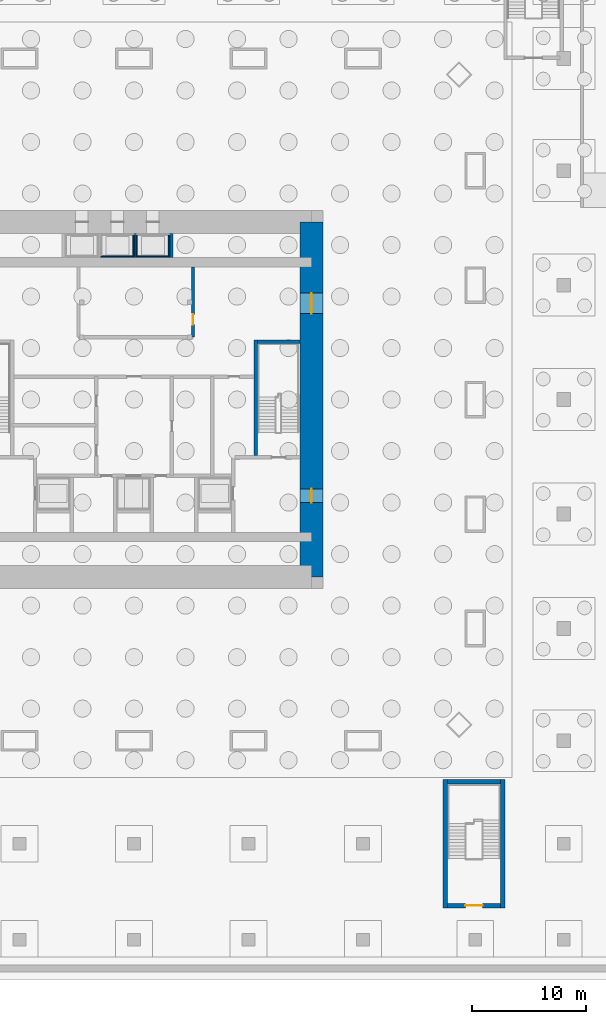
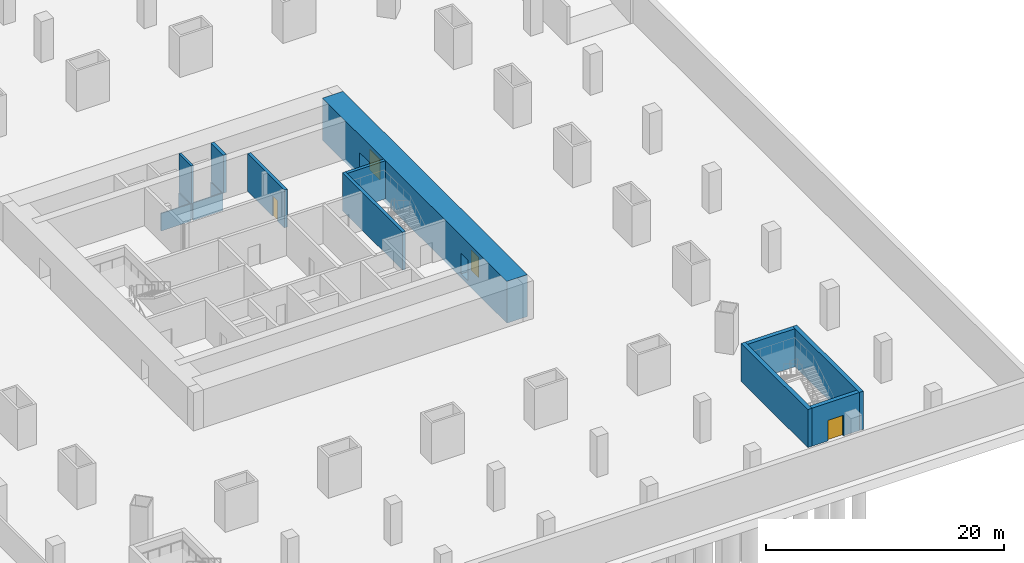
# One storey, part 5 of 11: 15 walls, 4 doors, 4 openings.
"""IFC4 building model written with IfcOpenShell, lengths in metres."""

import ifcopenshell
import ifcopenshell.guid

model = None  # the IFC model being written
_history = None  # IfcOwnerHistory: only IFC2X3 demands one
_inside = {}  # id of a spatial element -> (the spatial element, [elements in it])
_under = {}  # id of a project, library or spatial element -> (it, [spatial elements below it])
_declared = {}  # id of a project -> (the project, [libraries it declares])
_typed = {}  # id of a type object -> (the type object, [elements of that type])
_made_of = {}  # id of a material, layer set ... -> (it, [elements and type objects made of it])


def new_model(schema):
    """Start an empty IFC model of exactly this schema.

    Asked for "IFC4X3", IfcOpenShell would pick the latest addendum, in which some entities
    have other attributes; the version numbers below select the first issue.
    IFC2X3 requires an IfcOwnerHistory on every rooted entity: one is made here for all.
    """
    global model, _history
    if schema == "IFC4X3":
        model = ifcopenshell.file(schema_version=(4, 3, 0, 0))
    else:
        model = ifcopenshell.file(schema=schema)
    _inside.clear()
    _under.clear()
    _declared.clear()
    _typed.clear()
    _made_of.clear()
    _history = None
    if model.schema == "IFC2X3":
        org = make("IfcOrganization", Name="unknown")
        user = make(
            "IfcPersonAndOrganization",
            ThePerson=make("IfcPerson", FamilyName="unknown"),
            TheOrganization=org,
        )
        app = make(
            "IfcApplication",
            ApplicationDeveloper=org,
            Version="unknown",
            ApplicationFullName="unknown",
            ApplicationIdentifier="unknown",
        )
        _history = make(
            "IfcOwnerHistory",
            OwningUser=user,
            OwningApplication=app,
            ChangeAction="ADDED",
            CreationDate=0,
        )
    return model


def make(cls, **values):
    """One entity of the class cls with the attributes given. An attribute that is None is left unset."""
    return model.create_entity(
        cls, **{name: value for name, value in values.items() if value is not None}
    )


def rooted(cls, **values):
    """An entity with a GlobalId (a new one), such as an element, a storey or a relation."""
    return make(cls, GlobalId=ifcopenshell.guid.new(), OwnerHistory=_history, **values)


def si_unit(unit_type, name, prefix=None):
    """IfcSIUnit, for example si_unit("LENGTHUNIT", "METRE", prefix="MILLI")."""
    return make("IfcSIUnit", UnitType=unit_type, Prefix=prefix, Name=name)


def assignment(units):
    """IfcUnitAssignment: the units of a project."""
    return None if units is None else make("IfcUnitAssignment", Units=units)


def point(xyz):
    """IfcCartesianPoint."""
    return None if xyz is None else make("IfcCartesianPoint", Coordinates=xyz)


def direction(xyz):
    """IfcDirection."""
    return None if xyz is None else make("IfcDirection", DirectionRatios=xyz)


def frame(location, z_axis=None, x_axis=None):
    """IfcAxis2Placement3D, a coordinate frame: its origin and axes. An axis left out is left unset."""
    return make(
        "IfcAxis2Placement3D",
        Location=point(location),
        Axis=direction(z_axis),
        RefDirection=direction(x_axis),
    )


def frame_2d(location, x_axis=None):
    """IfcAxis2Placement2D, a coordinate frame in the plane: its origin and x axis."""
    return make(
        "IfcAxis2Placement2D", Location=point(location), RefDirection=direction(x_axis)
    )


def origin():
    """The frame at (0, 0, 0) with its axes left unset."""
    return frame((0.0, 0.0, 0.0))


def place(relative_to, where):
    """IfcLocalPlacement: puts the frame where relative to a parent placement (None: the world)."""
    return make(
        "IfcLocalPlacement", PlacementRelTo=relative_to, RelativePlacement=where
    )


def context(
    kind, dimensions, precision=None, world=None, true_north=None, identifier=None
):
    """IfcGeometricRepresentationContext, for example the 3D "Model" context."""
    return make(
        "IfcGeometricRepresentationContext",
        ContextIdentifier=identifier,
        ContextType=kind,
        CoordinateSpaceDimension=dimensions,
        Precision=precision,
        WorldCoordinateSystem=world,
        TrueNorth=true_north,
    )


def subcontext(parent, identifier, kind, view, scale=None):
    """IfcGeometricRepresentationSubContext, for example "Body" below "Model"."""
    return make(
        "IfcGeometricRepresentationSubContext",
        ContextIdentifier=identifier,
        ContextType=kind,
        ParentContext=parent,
        TargetScale=scale,
        TargetView=view,
    )


def project(units=None, contexts=None):
    """IfcProject with its units and contexts."""
    return rooted(
        "IfcProject",
        Name="project",
        RepresentationContexts=contexts,
        UnitsInContext=assignment(units),
    )


def spatial(cls, under=None, at=None, **own):
    """A site, building, storey or space (cls), placed at a placement, below another one or the project."""
    s = rooted(cls, ObjectPlacement=at, **own)
    if under is not None:
        _under.setdefault(under.id(), (under, []))[1].append(s)
    return s


def profile(cls, at=None, kind="AREA", **sizes):
    """A parametric profile (cls). Its sizes go by their IFC names, for example OverallWidth=200.0."""
    return make(cls, ProfileType=kind, Position=at, **sizes)


def rectangle(**sizes):
    """IfcRectangleProfileDef."""
    return profile("IfcRectangleProfileDef", **sizes)


def extrude(swept, where, along, depth):
    """IfcExtrudedAreaSolid: the profile swept, set in the frame where, extruded along a direction by depth."""
    return make(
        "IfcExtrudedAreaSolid",
        SweptArea=swept,
        Position=where,
        ExtrudedDirection=direction(along),
        Depth=depth,
    )


def shape(context_of_items, identifier, shape_type, items):
    """IfcShapeRepresentation: the items that make up one representation, for example the "Body"."""
    return make(
        "IfcShapeRepresentation",
        ContextOfItems=context_of_items,
        RepresentationIdentifier=identifier,
        RepresentationType=shape_type,
        Items=items,
    )


def material(Name=None, Category=None):
    """IfcMaterial."""
    return make("IfcMaterial", Name=Name, Category=Category)


def layer(
    of_material, thickness, ventilated=None, Name=None, Category=None, Priority=None
):
    """IfcMaterialLayer: one layer of a wall or slab, of a material (None: an air gap)."""
    return make(
        "IfcMaterialLayer",
        Material=of_material,
        LayerThickness=thickness,
        IsVentilated=ventilated,
        Name=Name,
        Category=Category,
        Priority=Priority,
    )


def layer_set(layers, Name=None):
    """IfcMaterialLayerSet."""
    return make("IfcMaterialLayerSet", MaterialLayers=layers, LayerSetName=Name)


def made_of(thing, what):
    """Note that an element or type object is made of a material, layer set ...; save() writes the relation."""
    if what is not None:
        _made_of.setdefault(what.id(), (what, []))[1].append(thing)
    return thing


def type_object(cls, material=None, **own):
    """A type object (cls), such as IfcWallType, which elements share."""
    return made_of(rooted(cls, **own), material)


def element(
    cls,
    number,
    at=None,
    inside=None,
    cuts=None,
    type_object=None,
    material=None,
    context=None,
    identifier="Body",
    shape_type=None,
    held_by="IfcProductDefinitionShape",
    body=None,
    shapes=None,
    **own,
):
    """One element of the class cls, such as IfcWall. Its Tag is "e" and its number.

    at: its placement. inside: the storey or other place that contains it. cuts: it is an
    opening in that element (IfcRelVoidsElement). A single representation is given by context,
    identifier, shape_type and body (its items); several are given by shapes. held_by: the class
    of the entity that holds the representations. save() writes the other relations.
    """
    e = rooted(cls, Tag="e%d" % number, ObjectPlacement=at, **own)
    if body is not None:
        shapes = [shape(context, identifier, shape_type, body)]
    if shapes is not None:
        e.Representation = make(held_by, Representations=shapes)
    if inside is not None:
        _inside.setdefault(inside.id(), (inside, []))[1].append(e)
    if cuts is not None:
        rooted(
            "IfcRelVoidsElement", RelatingBuildingElement=cuts, RelatedOpeningElement=e
        )
    if type_object is not None:
        _typed.setdefault(type_object.id(), (type_object, []))[1].append(e)
    return made_of(e, material)


def fill(opening, filler):
    """IfcRelFillsElement: the door or window that sits in an opening."""
    return rooted(
        "IfcRelFillsElement",
        RelatingOpeningElement=opening,
        RelatedBuildingElement=filler,
    )


def aggregate(whole, parts):
    """IfcRelAggregates: a whole, such as a stair, and the parts it consists of."""
    return rooted("IfcRelAggregates", RelatingObject=whole, RelatedObjects=parts)


def save(model, path):
    """Write the relations noted so far, then the file.

    IfcRelAggregates (storeys below a building ...), IfcRelContainedInSpatialStructure (elements
    in a storey), IfcRelDefinesByType, IfcRelAssociatesMaterial and IfcRelDeclares: one each for
    every whole, place, type object, material and project.
    """
    for whole, parts in _under.values():
        aggregate(whole, parts)
    for where, things in _inside.values():
        rooted(
            "IfcRelContainedInSpatialStructure",
            RelatedElements=things,
            RelatingStructure=where,
        )
    for kind, things in _typed.values():
        rooted("IfcRelDefinesByType", RelatedObjects=things, RelatingType=kind)
    for what, things in _made_of.values():
        rooted("IfcRelAssociatesMaterial", RelatedObjects=things, RelatingMaterial=what)
    for by, libraries in _declared.values():
        rooted("IfcRelDeclares", RelatingContext=by, RelatedDefinitions=libraries)
    model.write(path)


model = new_model("IFC4")

# Units and contexts
model_context = context("Model", 3, precision=1e-05, world=origin(), true_north=direction((0.0, 1.0)))
body_context = subcontext(model_context, "Body", "Model", "MODEL_VIEW")
ifc_project = project(units=[si_unit("LENGTHUNIT", "METRE"), si_unit("AREAUNIT", "SQUARE_METRE"), si_unit("VOLUMEUNIT", "CUBIC_METRE"), si_unit("PLANEANGLEUNIT", "RADIAN"), si_unit("MASSUNIT", "GRAM", prefix="KILO")], contexts=[model_context])

# Site, building, storey
site_placement = place(None, origin())
site = spatial("IfcSite", under=ifc_project, at=site_placement, CompositionType="ELEMENT")
building_placement = place(site_placement, origin())
building = spatial("IfcBuilding", under=site, at=building_placement, Name="Khuree Lantern Residences", CompositionType="ELEMENT")
storey_placement = place(building_placement, frame((0.0, 0.0, -13.199951171875)))
storey = spatial("IfcBuildingStorey", under=building, at=storey_placement, Name="B3", CompositionType="ELEMENT", Elevation=-13.199951171875)

# Wall
ifc_material_1 = material(Name="Dense concrete blockwork", Category="masonry")
ifc_layer_1 = layer(ifc_material_1, 0.300048828125)
ifc_layer_set_1 = layer_set([ifc_layer_1], Name="CORE PARTITION WALL CPW300 EI 120")
wall_type_1 = type_object("IfcWallType", Name="CORE PARTITION WALL CPW300 EI 120", PredefinedType="PARTITIONING", material=ifc_layer_set_1)
wall_1_placement = place(storey_placement, frame((3.25, 12.39990234375, 0.0), z_axis=(0.0, 0.0, 1.0), x_axis=(0.0, 1.0, 0.0)))
element("IfcWall", 1, at=wall_1_placement, inside=storey, type_object=wall_type_1, Name="B3 CORE WALL PLE", PredefinedType="PARTITIONING", context=body_context, shape_type="SweptSolid", body=[
    extrude(rectangle(XDim=2.10009765625, YDim=0.300048828125, at=frame_2d((1.050048828125, 0.0))), origin(), (0.0, 0.0, 1.0), 3.89990234375),
])

# Wall, opening, door
wall_2_placement = place(storey_placement, frame((5.14990234375, 5.449951171875, 0.0), z_axis=(0.0, 0.0, 1.0), x_axis=(0.0, 1.0, 0.0)))
wall_2 = element("IfcWall", 2, at=wall_2_placement, inside=storey, type_object=wall_type_1, Name="B3 CORE WALL NE", PredefinedType="PARTITIONING", context=body_context, shape_type="SweptSolid", body=[
    extrude(rectangle(XDim=6.150146484375, YDim=0.300048828125, at=frame_2d((3.0751953125, 0.0))), origin(), (0.0, 0.0, 1.0), 3.89990234375),
])
opening_1_placement = place(wall_2_placement, frame((1.10009765625, 0.0, 0.0)))
opening_1 = element("IfcOpeningElement", 3, at=opening_1_placement, cuts=wall_2, Name="Opening B3-020", PredefinedType="OPENING", context=body_context, shape_type="SweptSolid", body=[
    extrude(rectangle(XDim=0.89990234375, YDim=2.10009765625, at=frame_2d((0.449951171875, 1.050048828125))), frame((0.0, 0.16015625, 0.0), z_axis=(0.0, -1.0, 0.0), x_axis=(1.0, 0.0, 0.0)), (0.0, 0.0, 1.0), 0.320068359375),
])
ifc_material_2 = material(Name="Timber door leaf in hardwood frame", Category="wood")
door_type_1 = type_object("IfcDoorType", Name="DOOR 900X2100", OperationType="SINGLE_SWING_LEFT", PredefinedType="DOOR", material=ifc_material_2)
door_1_placement = place(opening_1_placement, origin())
door_1 = element("IfcDoor", 4, at=door_1_placement, inside=storey, type_object=door_type_1, Name="Store door B3-020", OperationType="SINGLE_SWING_LEFT", OverallHeight=2.10009765625, OverallWidth=0.89990234375, PredefinedType="DOOR", context=body_context, shape_type="SweptSolid", body=[
    extrude(rectangle(XDim=0.89990234375, YDim=2.10009765625, at=frame_2d((0.449951171875, 1.050048828125))), frame((0.0, 0.02490234375, 0.0), z_axis=(0.0, -1.0, 0.0), x_axis=(1.0, 0.0, 0.0)), (0.0, 0.0, 1.0), 0.050048828125),
])
fill(opening_1, door_1)

# Wall, openings, doors
ifc_material_3 = material(Name="Concrete C70/85", Category="concrete")
ifc_layer_2 = layer(ifc_material_3, 2.0)
ifc_layer_set_2 = layer_set([ifc_layer_2], Name="CW2000-C70 CORE WALL C70 2000")
wall_type_2 = type_object("IfcWallType", Name="CW2000-C70 CORE WALL C70 2000", PredefinedType="SHEAR", material=ifc_layer_set_2)
wall_3_placement = place(storey_placement, frame((15.5, -15.5, -0.400146484375), z_axis=(0.0, 0.0, 1.0), x_axis=(0.0, 1.0, 0.0)))
wall_3 = element("IfcWall", 5, at=wall_3_placement, inside=storey, type_object=wall_type_2, Name="Core wall E", PredefinedType="SHEAR", context=body_context, shape_type="SweptSolid", body=[
    extrude(rectangle(XDim=31.0, YDim=2.0, at=frame_2d((15.5, 0.0))), origin(), (0.0, 0.0, 1.0), 4.300048828125),
])
opening_2_placement = place(wall_3_placement, frame((6.5, 0.0, 0.39990234375)))
opening_2 = element("IfcOpeningElement", 6, at=opening_2_placement, cuts=wall_3, Name="Opening B3-005", PredefinedType="OPENING", context=body_context, shape_type="SweptSolid", body=[
    extrude(rectangle(XDim=1.199951171875, YDim=2.10009765625, at=frame_2d((0.60009765625, 1.050048828125))), frame((0.0, 1.010009765625, 0.0), z_axis=(0.0, -1.0, 0.0), x_axis=(1.0, 0.0, 0.0)), (0.0, 0.0, 1.0), 2.02001953125),
])
opening_3_placement = place(wall_3_placement, frame((23.0, 0.0, 0.39990234375)))
opening_3 = element("IfcOpeningElement", 7, at=opening_3_placement, cuts=wall_3, Name="Opening B3-006", PredefinedType="OPENING", context=body_context, shape_type="SweptSolid", body=[
    extrude(rectangle(XDim=1.800048828125, YDim=2.10009765625, at=frame_2d((0.89990234375, 1.050048828125))), frame((0.0, 1.010009765625, 0.0), z_axis=(0.0, -1.0, 0.0), x_axis=(1.0, 0.0, 0.0)), (0.0, 0.0, 1.0), 2.02001953125),
])
ifc_material_4 = material(Name="Steel door leaf in steel frame", Category="steel")
door_type_2 = type_object("IfcDoorType", Name="LOBBY DOOR 1200X2100 EI 120", OperationType="SINGLE_SWING_LEFT", PredefinedType="DOOR", material=ifc_material_4)
door_2_placement = place(opening_2_placement, origin())
door_2 = element("IfcDoor", 8, at=door_2_placement, inside=storey, type_object=door_type_2, Name="Firefighting lobby door B3-005", OperationType="SINGLE_SWING_LEFT", OverallHeight=2.10009765625, OverallWidth=1.199951171875, PredefinedType="DOOR", context=body_context, shape_type="SweptSolid", body=[
    extrude(rectangle(XDim=1.199951171875, YDim=2.10009765625, at=frame_2d((0.60009765625, 1.050048828125))), frame((0.0, 0.02490234375, 0.0), z_axis=(0.0, -1.0, 0.0), x_axis=(1.0, 0.0, 0.0)), (0.0, 0.0, 1.0), 0.050048828125),
])
fill(opening_2, door_2)
door_type_3 = type_object("IfcDoorType", Name="LOBBY DOUBLE DOOR 1800X2100 EI 60", OperationType="DOUBLE_DOOR_SINGLE_SWING", PredefinedType="DOOR", material=ifc_material_4)
door_3_placement = place(opening_3_placement, origin())
door_3 = element("IfcDoor", 9, at=door_3_placement, inside=storey, type_object=door_type_3, Name="Lift lobby door B3-006", OperationType="DOUBLE_DOOR_SINGLE_SWING", OverallHeight=2.10009765625, OverallWidth=1.800048828125, PredefinedType="DOOR", context=body_context, shape_type="SweptSolid", body=[
    extrude(rectangle(XDim=1.800048828125, YDim=2.10009765625, at=frame_2d((0.89990234375, 1.050048828125))), frame((0.0, 0.02490234375, 0.0), z_axis=(0.0, -1.0, 0.0), x_axis=(1.0, 0.0, 0.0)), (0.0, 0.0, 1.0), 0.050048828125),
])
fill(opening_3, door_3)

# Walls
ifc_material_5 = material(Name="Concrete C40/50", Category="concrete")
ifc_layer_3 = layer(ifc_material_5, 0.10009765625)
ifc_layer_set_3 = layer_set([ifc_layer_3], Name="LIFT PIT WALL PW1 100")
wall_type_3 = type_object("IfcWallType", Name="LIFT PIT WALL PW1 100", PredefinedType="SOLIDWALL", material=ifc_layer_set_3)
wall_4_placement = place(storey_placement, frame((-2.89990234375, 12.5, -1.800048828125), z_axis=(0.0, 0.0, 1.0), x_axis=(1.0, 0.0, 0.0)))
element("IfcWall", 10, at=wall_4_placement, inside=storey, type_object=wall_type_3, Name="Lift PL2 pit wall", PredefinedType="SOLIDWALL", context=body_context, shape_type="SweptSolid", body=[
    extrude(rectangle(XDim=2.89990234375, YDim=0.10009765625, at=frame_2d((1.449951171875, 0.0))), origin(), (0.0, 0.0, 1.0), 1.800048828125),
])
wall_5_placement = place(storey_placement, frame((-0.050048828125, 12.550048828125, -1.800048828125), z_axis=(0.0, 0.0, 1.0), x_axis=(0.0, 1.0, 0.0)))
element("IfcWall", 11, at=wall_5_placement, inside=storey, type_object=wall_type_3, Name="Lift PL2 pit wall", PredefinedType="SOLIDWALL", context=body_context, shape_type="SweptSolid", body=[
    extrude(rectangle(XDim=1.800048828125, YDim=0.10009765625, at=frame_2d((0.89990234375, 0.0))), origin(), (0.0, 0.0, 1.0), 1.800048828125),
])
wall_6_placement = place(storey_placement, frame((0.199951171875, 12.5, -1.800048828125), z_axis=(0.0, 0.0, 1.0), x_axis=(1.0, 0.0, 0.0)))
element("IfcWall", 12, at=wall_6_placement, inside=storey, type_object=wall_type_3, Name="Lift PL3 pit wall", PredefinedType="SOLIDWALL", context=body_context, shape_type="SweptSolid", body=[
    extrude(rectangle(XDim=2.900146484375, YDim=0.10009765625, at=frame_2d((1.4501953125, 0.0))), origin(), (0.0, 0.0, 1.0), 1.800048828125),
])
for number, where, z_axis, x_axis, name in (
    (13, (0.25, 14.35009765625, -1.800048828125), (0.0, 0.0, 1.0), (0.0, -1.0, 0.0), "Lift PL3 pit wall"),
    (14, (3.050048828125, 12.550048828125, -1.800048828125), (0.0, 0.0, 1.0), (0.0, 1.0, 0.0), "Lift PL3 pit wall"),
):
    element("IfcWall", number, at=place(storey_placement, frame(where, z_axis=z_axis, x_axis=x_axis)), inside=storey, type_object=wall_type_3, Name=name, PredefinedType="SOLIDWALL", context=body_context, shape_type="SweptSolid", body=[
        extrude(rectangle(XDim=1.800048828125, YDim=0.10009765625, at=frame_2d((0.89990234375, 0.0))), origin(), (0.0, 0.0, 1.0), 1.800048828125),
    ])
ifc_layer_4 = layer(ifc_material_1, 0.199951171875)
ifc_layer_set_4 = layer_set([ifc_layer_4], Name="SHAFT WALL SHW200 EI 120")
wall_type_4 = type_object("IfcWallType", Name="SHAFT WALL SHW200 EI 120", PredefinedType="PARTITIONING", material=ifc_layer_set_4)
wall_7_placement = place(storey_placement, frame((0.10009765625, 12.39990234375, 0.0), z_axis=(0.0, 0.0, 1.0), x_axis=(0.0, 1.0, 0.0)))
element("IfcWall", 15, at=wall_7_placement, inside=storey, type_object=wall_type_4, Name="B3 CORE WALL PLD2", PredefinedType="PARTITIONING", context=body_context, shape_type="SweptSolid", body=[
    extrude(rectangle(XDim=2.10009765625, YDim=0.199951171875, at=frame_2d((1.050048828125, 0.0))), origin(), (0.0, 0.0, 1.0), 3.89990234375),
])
ifc_layer_5 = layer(ifc_material_5, 0.39990234375)
ifc_layer_set_5 = layer_set([ifc_layer_5], Name="STAIR WALL BSW400 REI 240")
wall_type_5 = type_object("IfcWallType", Name="STAIR WALL BSW400 REI 240", PredefinedType="SOLIDWALL", material=ifc_layer_set_5)
for number, where, z_axis, x_axis, name in (
    (16, (27.199951171875, -44.39990234375, 0.0), (0.0, 0.0, 1.0), (0.0, 1.0, 0.0), "B3 STAIR ST6 WALL W"),
    (17, (32.199951171875, -44.39990234375, 0.0), (0.0, 0.0, 1.0), (0.0, 1.0, 0.0), "B3 STAIR ST6 WALL E"),
):
    element("IfcWall", number, at=place(storey_placement, frame(where, z_axis=z_axis, x_axis=x_axis)), inside=storey, type_object=wall_type_5, Name=name, PredefinedType="SOLIDWALL", context=body_context, shape_type="SweptSolid", body=[
        extrude(rectangle(XDim=11.199951171875, YDim=0.39990234375, at=frame_2d((5.60009765625, 0.0))), origin(), (0.0, 0.0, 1.0), 3.89990234375),
    ])

# Wall, opening, door
wall_8_placement = place(storey_placement, frame((27.39990234375, -44.199951171875, 0.0), z_axis=(0.0, 0.0, 1.0), x_axis=(1.0, 0.0, 0.0)))
wall_8 = element("IfcWall", 18, at=wall_8_placement, inside=storey, type_object=wall_type_5, Name="B3 STAIR ST6 WALL S", PredefinedType="SOLIDWALL", context=body_context, shape_type="SweptSolid", body=[
    extrude(rectangle(XDim=4.60009765625, YDim=0.39990234375, at=frame_2d((2.300048828125, 0.0))), origin(), (0.0, 0.0, 1.0), 3.89990234375),
])
opening_4_placement = place(wall_8_placement, frame((1.550048828125, 0.0, 0.0)))
opening_4 = element("IfcOpeningElement", 19, at=opening_4_placement, cuts=wall_8, Name="Opening B3-022", PredefinedType="OPENING", context=body_context, shape_type="SweptSolid", body=[
    extrude(rectangle(XDim=1.5, YDim=2.10009765625, at=frame_2d((0.75, 1.050048828125))), frame((0.0, 0.2099609375, 0.0), z_axis=(0.0, -1.0, 0.0), x_axis=(1.0, 0.0, 0.0)), (0.0, 0.0, 1.0), 0.419921875),
])
door_type_4 = type_object("IfcDoorType", Name="STAIR DOOR 1500X2100 EI 120", OperationType="DOUBLE_DOOR_SINGLE_SWING", PredefinedType="DOOR", material=ifc_material_4)
door_4_placement = place(opening_4_placement, origin())
door_4 = element("IfcDoor", 20, at=door_4_placement, inside=storey, type_object=door_type_4, Name="Stair ST6 door B3-022", OperationType="DOUBLE_DOOR_SINGLE_SWING", OverallHeight=2.10009765625, OverallWidth=1.5, PredefinedType="DOOR", context=body_context, shape_type="SweptSolid", body=[
    extrude(rectangle(XDim=1.5, YDim=2.10009765625, at=frame_2d((0.75, 1.050048828125))), frame((0.0, 0.02490234375, 0.0), z_axis=(0.0, -1.0, 0.0), x_axis=(1.0, 0.0, 0.0)), (0.0, 0.0, 1.0), 0.050048828125),
])
fill(opening_4, door_4)

# Walls
wall_9_placement = place(storey_placement, frame((27.39990234375, -33.39990234375, 0.0), z_axis=(0.0, 0.0, 1.0), x_axis=(1.0, 0.0, 0.0)))
element("IfcWall", 21, at=wall_9_placement, inside=storey, type_object=wall_type_5, Name="B3 STAIR ST6 WALL N", PredefinedType="SOLIDWALL", context=body_context, shape_type="SweptSolid", body=[
    extrude(rectangle(XDim=4.60009765625, YDim=0.39990234375, at=frame_2d((2.300048828125, 0.0))), origin(), (0.0, 0.0, 1.0), 3.89990234375),
])
ifc_material_6 = material(Name="Concrete C50/60", Category="concrete")
ifc_layer_6 = layer(ifc_material_6, 0.300048828125)
ifc_layer_set_6 = layer_set([ifc_layer_6], Name="STAIR WALL SRW300 C50/60 REI 240")
wall_type_6 = type_object("IfcWallType", Name="STAIR WALL SRW300 C50/60 REI 240", PredefinedType="SOLIDWALL", material=ifc_layer_set_6)
wall_10_placement = place(storey_placement, frame((10.64990234375, -4.89990234375, 0.0), z_axis=(0.0, 0.0, 1.0), x_axis=(0.0, 1.0, 0.0)))
element("IfcWall", 22, at=wall_10_placement, inside=storey, type_object=wall_type_6, Name="B3 STAIR WALL ST2E", PredefinedType="SOLIDWALL", context=body_context, shape_type="SweptSolid", body=[
    extrude(rectangle(XDim=10.099853515625, YDim=0.300048828125, at=frame_2d((5.0498046875, 0.0))), origin(), (0.0, 0.0, 1.0), 3.89990234375),
])
wall_11_placement = place(storey_placement, frame((14.5, 5.050048828125, 0.0), z_axis=(0.0, 0.0, 1.0), x_axis=(-1.0, 0.0, 0.0)))
element("IfcWall", 23, at=wall_11_placement, inside=storey, type_object=wall_type_6, Name="B3 STAIR WALL ST2N", PredefinedType="SOLIDWALL", context=body_context, shape_type="SweptSolid", body=[
    extrude(rectangle(XDim=3.699951171875, YDim=0.300048828125, at=frame_2d((1.85009765625, 0.0))), origin(), (0.0, 0.0, 1.0), 3.89990234375),
])

save(model, "model.ifc")
